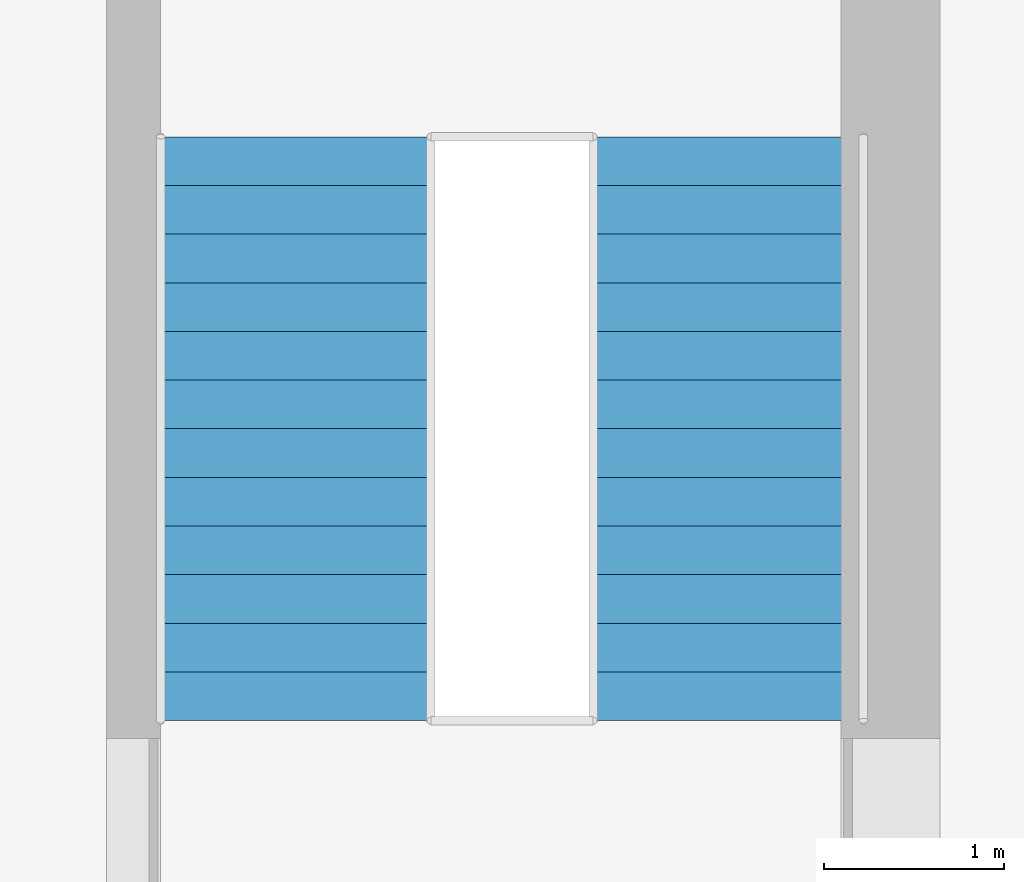
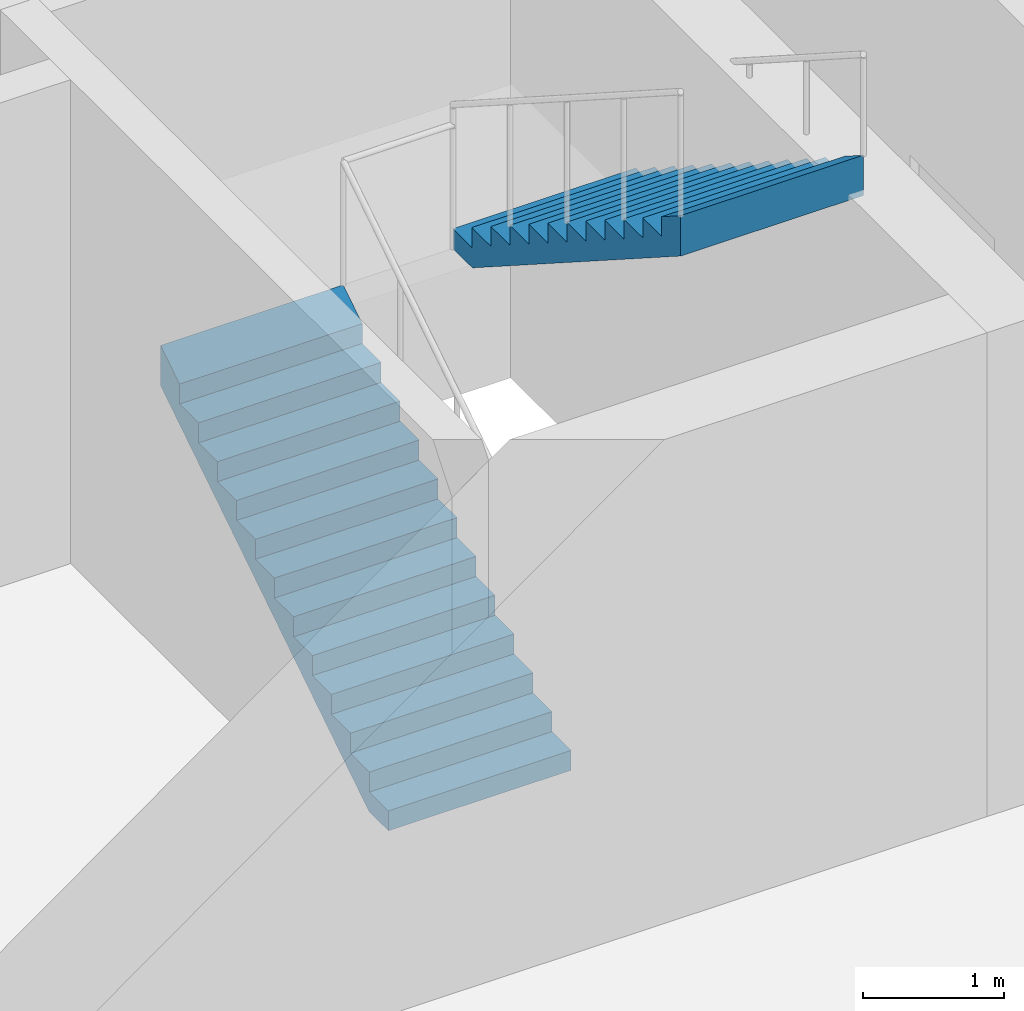
# One storey, part 9 of 13: 2 stair flights, 1 element without a shape of its own.
"""IFC4 building model written with IfcOpenShell, lengths in metres."""

from ifc_helpers import new_model, si_unit, direction, frame, origin, place, context, subcontext, project, spatial, triangles, material, type_object, element, aggregate, save


model = new_model("IFC4")

# Units and contexts
model_context = context("Model", 3, precision=1e-05, world=origin(), true_north=direction((0.0, 1.0)))
body_context = subcontext(model_context, "Body", "Model", "MODEL_VIEW")
ifc_project = project(units=[si_unit("LENGTHUNIT", "METRE"), si_unit("AREAUNIT", "SQUARE_METRE"), si_unit("VOLUMEUNIT", "CUBIC_METRE"), si_unit("PLANEANGLEUNIT", "RADIAN"), si_unit("MASSUNIT", "GRAM", prefix="KILO")], contexts=[model_context])

# Site, building, storey
site_placement = place(None, origin())
site = spatial("IfcSite", under=ifc_project, at=site_placement, CompositionType="ELEMENT")
building_placement = place(site_placement, origin())
building = spatial("IfcBuilding", under=site, at=building_placement, Name="Ludao Terraces", CompositionType="ELEMENT")
storey_placement = place(building_placement, frame((0.0, 0.0, 192.800048828125)))
storey = spatial("IfcBuildingStorey", under=building, at=storey_placement, Name="L52", CompositionType="ELEMENT", Elevation=192.800048828125)

# Stair, stair flights
ifc_material = material(Name="Concrete C40", Category="concrete")
stair_type = type_object("IfcStairType", Name="INT Stair", PredefinedType="HALF_TURN_STAIR", material=ifc_material)
stair_placement = place(storey_placement, origin())
stair = element("IfcStair", 1, at=stair_placement, inside=storey, type_object=stair_type, Name="EXIT STAIR 3", PredefinedType="HALF_TURN_STAIR")
stair_flight_type = type_object("IfcStairFlightType", Name="INT Stair flight", PredefinedType="STRAIGHT", material=ifc_material)
stair_flight_1_placement = place(storey_placement, frame((91.449951171875, 56.949951171875, 0.0), z_axis=(0.0, 0.0, 1.0), x_axis=(0.0, 1.0, 0.0)))
stair_flight_1 = element("IfcStairFlight", 2, at=stair_flight_1_placement, type_object=stair_flight_type, Name="ST3 flight 1", NumberOfRisers=13, NumberOfTreads=12, PredefinedType="STRAIGHT", RiserHeight=0.173077, TreadLength=0.27, context=body_context, shape_type="Tessellation", body=[
    triangles([(0.0, -0.75, 0.0), (0.0, -0.5, 0.0), (0.0, -0.25, 0.0), (0.0, 0.0, 0.0), (0.0, 0.25, 0.0), (0.0, 0.5, 0.0), (0.0, 0.75, 0.0), (0.0, -0.75, 0.173095703125), (0.0, -0.5, 0.173095703125), (0.0, -0.25, 0.173095703125), (0.0, 0.0, 0.173095703125), (0.0, 0.25, 0.173095703125), (0.0, 0.5, 0.173095703125), (0.0, 0.75, 0.173095703125), (0.27001953125, -0.75, 0.173095703125), (0.27001953125, -0.5, 0.173095703125), (0.27001953125, -0.25, 0.173095703125), (0.27001953125, 0.0, 0.173095703125), (0.27001953125, 0.25, 0.173095703125), (0.27001953125, 0.5, 0.173095703125), (0.27001953125, 0.75, 0.173095703125), (0.27001953125, -0.75, 0.34619140625), (0.27001953125, -0.5, 0.34619140625), (0.27001953125, -0.25, 0.34619140625), (0.27001953125, 0.0, 0.34619140625), (0.27001953125, 0.25, 0.34619140625), (0.27001953125, 0.5, 0.34619140625), (0.27001953125, 0.75, 0.34619140625), (0.5400390625, -0.75, 0.34619140625), (0.5400390625, -0.5, 0.34619140625), (0.5400390625, -0.25, 0.34619140625), (0.5400390625, 0.0, 0.34619140625), (0.5400390625, 0.25, 0.34619140625), (0.5400390625, 0.5, 0.34619140625), (0.5400390625, 0.75, 0.34619140625), (0.5400390625, -0.75, 0.519287109375), (0.5400390625, -0.5, 0.519287109375), (0.5400390625, -0.25, 0.519287109375), (0.5400390625, 0.0, 0.519287109375), (0.5400390625, 0.25, 0.519287109375), (0.5400390625, 0.5, 0.519287109375), (0.5400390625, 0.75, 0.519287109375), (0.81005859375, -0.75, 0.519287109375), (0.81005859375, -0.5, 0.519287109375), (0.81005859375, -0.25, 0.519287109375), (0.81005859375, 0.0, 0.519287109375), (0.81005859375, 0.25, 0.519287109375), (0.81005859375, 0.5, 0.519287109375), (0.81005859375, 0.75, 0.519287109375), (0.81005859375, -0.75, 0.6923828125), (0.81005859375, -0.5, 0.6923828125), (0.81005859375, -0.25, 0.6923828125), (0.81005859375, 0.0, 0.6923828125), (0.81005859375, 0.25, 0.6923828125), (0.81005859375, 0.5, 0.6923828125), (0.81005859375, 0.75, 0.6923828125), (1.080078125, -0.75, 0.6923828125), (1.080078125, -0.5, 0.6923828125), (1.080078125, -0.25, 0.6923828125), (1.080078125, 0.0, 0.6923828125), (1.080078125, 0.25, 0.6923828125), (1.080078125, 0.5, 0.6923828125), (1.080078125, 0.75, 0.6923828125), (1.080078125, -0.75, 0.865478515625), (1.080078125, -0.5, 0.865478515625), (1.080078125, -0.25, 0.865478515625), (1.080078125, 0.0, 0.865478515625), (1.080078125, 0.25, 0.865478515625), (1.080078125, 0.5, 0.865478515625), (1.080078125, 0.75, 0.865478515625), (1.35009765625, -0.75, 0.865478515625), (1.35009765625, -0.5, 0.865478515625), (1.35009765625, -0.25, 0.865478515625), (1.35009765625, 0.0, 0.865478515625), (1.35009765625, 0.25, 0.865478515625), (1.35009765625, 0.5, 0.865478515625), (1.35009765625, 0.75, 0.865478515625), (1.35009765625, -0.75, 1.03857421875), (1.35009765625, -0.5, 1.03857421875), (1.35009765625, -0.25, 1.03857421875), (1.35009765625, 0.0, 1.03857421875), (1.35009765625, 0.25, 1.03857421875), (1.35009765625, 0.5, 1.03857421875), (1.35009765625, 0.75, 1.03857421875), (1.6201171875, -0.75, 1.03857421875), (1.6201171875, -0.5, 1.03857421875), (1.6201171875, -0.25, 1.03857421875), (1.6201171875, 0.0, 1.03857421875), (1.6201171875, 0.25, 1.03857421875), (1.6201171875, 0.5, 1.03857421875), (1.6201171875, 0.75, 1.03857421875), (1.6201171875, -0.75, 1.21142578125), (1.6201171875, -0.5, 1.21142578125), (1.6201171875, -0.25, 1.21142578125), (1.6201171875, 0.0, 1.21142578125), (1.6201171875, 0.25, 1.21142578125), (1.6201171875, 0.5, 1.21142578125), (1.6201171875, 0.75, 1.21142578125), (1.889892578125, -0.75, 1.21142578125), (1.889892578125, -0.5, 1.21142578125), (1.889892578125, -0.25, 1.21142578125), (1.889892578125, 0.0, 1.21142578125), (1.889892578125, 0.25, 1.21142578125), (1.889892578125, 0.5, 1.21142578125), (1.889892578125, 0.75, 1.21142578125), (1.889892578125, -0.75, 1.384521484375), (1.889892578125, -0.5, 1.384521484375), (1.889892578125, -0.25, 1.384521484375), (1.889892578125, 0.0, 1.384521484375), (1.889892578125, 0.25, 1.384521484375), (1.889892578125, 0.5, 1.384521484375), (1.889892578125, 0.75, 1.384521484375), (2.159912109375, -0.75, 1.384521484375), (2.159912109375, -0.5, 1.384521484375), (2.159912109375, -0.25, 1.384521484375), (2.159912109375, 0.0, 1.384521484375), (2.159912109375, 0.25, 1.384521484375), (2.159912109375, 0.5, 1.384521484375), (2.159912109375, 0.75, 1.384521484375), (2.159912109375, -0.75, 1.5576171875), (2.159912109375, -0.5, 1.5576171875), (2.159912109375, -0.25, 1.5576171875), (2.159912109375, 0.0, 1.5576171875), (2.159912109375, 0.25, 1.5576171875), (2.159912109375, 0.5, 1.5576171875), (2.159912109375, 0.75, 1.5576171875), (2.429931640625, -0.75, 1.5576171875), (2.429931640625, -0.5, 1.5576171875), (2.429931640625, -0.25, 1.5576171875), (2.429931640625, 0.0, 1.5576171875), (2.429931640625, 0.25, 1.5576171875), (2.429931640625, 0.5, 1.5576171875), (2.429931640625, 0.75, 1.5576171875), (2.429931640625, -0.75, 1.730712890625), (2.429931640625, -0.5, 1.730712890625), (2.429931640625, -0.25, 1.730712890625), (2.429931640625, 0.0, 1.730712890625), (2.429931640625, 0.25, 1.730712890625), (2.429931640625, 0.5, 1.730712890625), (2.429931640625, 0.75, 1.730712890625), (2.699951171875, -0.75, 1.730712890625), (2.699951171875, -0.5, 1.730712890625), (2.699951171875, -0.25, 1.730712890625), (2.699951171875, 0.0, 1.730712890625), (2.699951171875, 0.25, 1.730712890625), (2.699951171875, 0.5, 1.730712890625), (2.699951171875, 0.75, 1.730712890625), (2.699951171875, -0.75, 1.90380859375), (2.699951171875, -0.5, 1.90380859375), (2.699951171875, -0.25, 1.90380859375), (2.699951171875, 0.0, 1.90380859375), (2.699951171875, 0.25, 1.90380859375), (2.699951171875, 0.5, 1.90380859375), (2.699951171875, 0.75, 1.90380859375), (2.969970703125, -0.75, 1.90380859375), (2.969970703125, -0.5, 1.90380859375), (2.969970703125, -0.25, 1.90380859375), (2.969970703125, 0.0, 1.90380859375), (2.969970703125, 0.25, 1.90380859375), (2.969970703125, 0.5, 1.90380859375), (2.969970703125, 0.75, 1.90380859375), (2.969970703125, -0.75, 2.076904296875), (2.969970703125, -0.5, 2.076904296875), (2.969970703125, -0.25, 2.076904296875), (2.969970703125, 0.0, 2.076904296875), (2.969970703125, 0.25, 2.076904296875), (2.969970703125, 0.5, 2.076904296875), (2.969970703125, 0.75, 2.076904296875), (3.239990234375, -0.75, 2.25), (3.239990234375, -0.5, 2.25), (3.239990234375, -0.25, 2.25), (3.239990234375, 0.0, 2.25), (3.239990234375, 0.25, 2.25), (3.239990234375, 0.5, 2.25), (3.239990234375, 0.75, 2.25), (3.239990234375, -0.75, 1.89892578125), (3.239990234375, -0.5, 1.89892578125), (3.239990234375, -0.25, 1.89892578125), (3.239990234375, 0.0, 1.89892578125), (3.239990234375, 0.25, 1.89892578125), (3.239990234375, 0.5, 1.89892578125), (3.239990234375, 0.75, 1.89892578125), (0.27783203125, -0.75, 0.0), (0.27783203125, -0.5, 0.0), (0.27783203125, -0.25, 0.0), (0.27783203125, 0.0, 0.0), (0.27783203125, 0.25, 0.0), (0.27783203125, 0.5, 0.0), (0.27783203125, 0.75, 0.0)], [[1, 183, 176], [7, 182, 189], [176, 169, 162], [182, 168, 175], [176, 162, 155], [182, 161, 168], [176, 155, 148], [182, 154, 161], [176, 148, 141], [182, 147, 154], [141, 134, 127], [147, 133, 140], [176, 141, 127], [182, 133, 147], [127, 120, 113], [133, 119, 126], [176, 127, 113], [182, 119, 133], [113, 106, 99], [119, 105, 112], [176, 113, 99], [182, 105, 119], [1, 176, 99], [7, 105, 182], [99, 92, 85], [105, 91, 98], [85, 78, 71], [91, 77, 84], [99, 85, 71], [105, 77, 91], [71, 64, 57], [77, 63, 70], [99, 71, 57], [105, 63, 77], [57, 50, 43], [63, 49, 56], [99, 57, 43], [105, 49, 63], [43, 36, 29], [49, 35, 42], [99, 43, 29], [105, 35, 49], [29, 22, 15], [35, 21, 28], [99, 29, 15], [105, 21, 35], [1, 99, 15], [7, 21, 105], [15, 8, 1], [21, 7, 14], [1, 9, 2], [1, 8, 9], [2, 10, 3], [2, 9, 10], [3, 11, 4], [3, 10, 11], [4, 12, 5], [4, 11, 12], [5, 13, 6], [5, 12, 13], [6, 14, 7], [6, 13, 14], [8, 16, 9], [8, 15, 16], [9, 17, 10], [9, 16, 17], [10, 18, 11], [10, 17, 18], [11, 19, 12], [11, 18, 19], [12, 20, 13], [12, 19, 20], [13, 21, 14], [13, 20, 21], [15, 23, 16], [15, 22, 23], [16, 24, 17], [16, 23, 24], [17, 25, 18], [17, 24, 25], [18, 26, 19], [18, 25, 26], [19, 27, 20], [19, 26, 27], [20, 28, 21], [20, 27, 28], [22, 30, 23], [22, 29, 30], [23, 31, 24], [23, 30, 31], [24, 32, 25], [24, 31, 32], [25, 33, 26], [25, 32, 33], [26, 34, 27], [26, 33, 34], [27, 35, 28], [27, 34, 35], [29, 37, 30], [29, 36, 37], [30, 38, 31], [30, 37, 38], [31, 39, 32], [31, 38, 39], [32, 40, 33], [32, 39, 40], [33, 41, 34], [33, 40, 41], [34, 42, 35], [34, 41, 42], [36, 44, 37], [36, 43, 44], [37, 45, 38], [37, 44, 45], [38, 46, 39], [38, 45, 46], [39, 47, 40], [39, 46, 47], [40, 48, 41], [40, 47, 48], [41, 49, 42], [41, 48, 49], [43, 51, 44], [43, 50, 51], [44, 52, 45], [44, 51, 52], [45, 53, 46], [45, 52, 53], [46, 54, 47], [46, 53, 54], [47, 55, 48], [47, 54, 55], [48, 56, 49], [48, 55, 56], [50, 58, 51], [50, 57, 58], [51, 59, 52], [51, 58, 59], [52, 60, 53], [52, 59, 60], [53, 61, 54], [53, 60, 61], [54, 62, 55], [54, 61, 62], [55, 63, 56], [55, 62, 63], [57, 65, 58], [57, 64, 65], [58, 66, 59], [58, 65, 66], [59, 67, 60], [59, 66, 67], [60, 68, 61], [60, 67, 68], [61, 69, 62], [61, 68, 69], [62, 70, 63], [62, 69, 70], [64, 72, 65], [64, 71, 72], [65, 73, 66], [65, 72, 73], [66, 74, 67], [66, 73, 74], [67, 75, 68], [67, 74, 75], [68, 76, 69], [68, 75, 76], [69, 77, 70], [69, 76, 77], [71, 79, 72], [71, 78, 79], [72, 80, 73], [72, 79, 80], [73, 81, 74], [73, 80, 81], [74, 82, 75], [74, 81, 82], [75, 83, 76], [75, 82, 83], [76, 84, 77], [76, 83, 84], [78, 86, 79], [78, 85, 86], [79, 87, 80], [79, 86, 87], [80, 88, 81], [80, 87, 88], [81, 89, 82], [81, 88, 89], [82, 90, 83], [82, 89, 90], [83, 91, 84], [83, 90, 91], [85, 93, 86], [85, 92, 93], [86, 94, 87], [86, 93, 94], [87, 95, 88], [87, 94, 95], [88, 96, 89], [88, 95, 96], [89, 97, 90], [89, 96, 97], [90, 98, 91], [90, 97, 98], [92, 100, 93], [92, 99, 100], [93, 101, 94], [93, 100, 101], [94, 102, 95], [94, 101, 102], [95, 103, 96], [95, 102, 103], [96, 104, 97], [96, 103, 104], [97, 105, 98], [97, 104, 105], [99, 107, 100], [99, 106, 107], [100, 108, 101], [100, 107, 108], [101, 109, 102], [101, 108, 109], [102, 110, 103], [102, 109, 110], [103, 111, 104], [103, 110, 111], [104, 112, 105], [104, 111, 112], [106, 114, 107], [106, 113, 114], [107, 115, 108], [107, 114, 115], [108, 116, 109], [108, 115, 116], [109, 117, 110], [109, 116, 117], [110, 118, 111], [110, 117, 118], [111, 119, 112], [111, 118, 119], [113, 121, 114], [113, 120, 121], [114, 122, 115], [114, 121, 122], [115, 123, 116], [115, 122, 123], [116, 124, 117], [116, 123, 124], [117, 125, 118], [117, 124, 125], [118, 126, 119], [118, 125, 126], [120, 128, 121], [120, 127, 128], [121, 129, 122], [121, 128, 129], [122, 130, 123], [122, 129, 130], [123, 131, 124], [123, 130, 131], [124, 132, 125], [124, 131, 132], [125, 133, 126], [125, 132, 133], [127, 135, 128], [127, 134, 135], [128, 136, 129], [128, 135, 136], [129, 137, 130], [129, 136, 137], [130, 138, 131], [130, 137, 138], [131, 139, 132], [131, 138, 139], [132, 140, 133], [132, 139, 140], [134, 142, 135], [134, 141, 142], [135, 143, 136], [135, 142, 143], [136, 144, 137], [136, 143, 144], [137, 145, 138], [137, 144, 145], [138, 146, 139], [138, 145, 146], [139, 147, 140], [139, 146, 147], [141, 149, 142], [141, 148, 149], [142, 150, 143], [142, 149, 150], [143, 151, 144], [143, 150, 151], [144, 152, 145], [144, 151, 152], [145, 153, 146], [145, 152, 153], [146, 154, 147], [146, 153, 154], [148, 156, 149], [148, 155, 156], [149, 157, 150], [149, 156, 157], [150, 158, 151], [150, 157, 158], [151, 159, 152], [151, 158, 159], [152, 160, 153], [152, 159, 160], [153, 161, 154], [153, 160, 161], [155, 163, 156], [155, 162, 163], [156, 164, 157], [156, 163, 164], [157, 165, 158], [157, 164, 165], [158, 166, 159], [158, 165, 166], [159, 167, 160], [159, 166, 167], [160, 168, 161], [160, 167, 168], [162, 170, 163], [162, 169, 170], [163, 171, 164], [163, 170, 171], [164, 172, 165], [164, 171, 172], [165, 173, 166], [165, 172, 173], [166, 174, 167], [166, 173, 174], [167, 175, 168], [167, 174, 175], [169, 177, 170], [169, 176, 177], [170, 178, 171], [170, 177, 178], [171, 179, 172], [171, 178, 179], [172, 180, 173], [172, 179, 180], [173, 181, 174], [173, 180, 181], [174, 182, 175], [174, 181, 182], [176, 184, 177], [176, 183, 184], [177, 185, 178], [177, 184, 185], [178, 186, 179], [178, 185, 186], [179, 187, 180], [179, 186, 187], [180, 188, 181], [180, 187, 188], [181, 189, 182], [181, 188, 189], [183, 2, 184], [183, 1, 2], [184, 3, 185], [184, 2, 3], [185, 4, 186], [185, 3, 4], [186, 5, 187], [186, 4, 5], [187, 6, 188], [187, 5, 6], [188, 7, 189], [188, 6, 7]], closed=True),
])
stair_flight_2_placement = place(storey_placement, frame((93.85009765625, 60.18994140625, 2.25), z_axis=(0.0, 0.0, 1.0), x_axis=(0.0, -1.0, 0.0)))
stair_flight_2 = element("IfcStairFlight", 3, at=stair_flight_2_placement, type_object=stair_flight_type, Name="ST3 flight 2", NumberOfRisers=13, NumberOfTreads=12, PredefinedType="STRAIGHT", RiserHeight=0.173077, TreadLength=0.27, context=body_context, shape_type="Tessellation", body=[
    triangles([(0.0, -0.75, 0.0), (0.0, -0.5, 0.0), (0.0, -0.25, 0.0), (0.0, 0.0, 0.0), (0.0, 0.25, 0.0), (0.0, 0.5, 0.0), (0.0, 0.75, 0.0), (0.0, -0.75, 0.173095703125), (0.0, -0.5, 0.173095703125), (0.0, -0.25, 0.173095703125), (0.0, 0.0, 0.173095703125), (0.0, 0.25, 0.173095703125), (0.0, 0.5, 0.173095703125), (0.0, 0.75, 0.173095703125), (0.27001953125, -0.75, 0.173095703125), (0.27001953125, -0.5, 0.173095703125), (0.27001953125, -0.25, 0.173095703125), (0.27001953125, 0.0, 0.173095703125), (0.27001953125, 0.25, 0.173095703125), (0.27001953125, 0.5, 0.173095703125), (0.27001953125, 0.75, 0.173095703125), (0.27001953125, -0.75, 0.34619140625), (0.27001953125, -0.5, 0.34619140625), (0.27001953125, -0.25, 0.34619140625), (0.27001953125, 0.0, 0.34619140625), (0.27001953125, 0.25, 0.34619140625), (0.27001953125, 0.5, 0.34619140625), (0.27001953125, 0.75, 0.34619140625), (0.5400390625, -0.75, 0.34619140625), (0.5400390625, -0.5, 0.34619140625), (0.5400390625, -0.25, 0.34619140625), (0.5400390625, 0.0, 0.34619140625), (0.5400390625, 0.25, 0.34619140625), (0.5400390625, 0.5, 0.34619140625), (0.5400390625, 0.75, 0.34619140625), (0.5400390625, -0.75, 0.519287109375), (0.5400390625, -0.5, 0.519287109375), (0.5400390625, -0.25, 0.519287109375), (0.5400390625, 0.0, 0.519287109375), (0.5400390625, 0.25, 0.519287109375), (0.5400390625, 0.5, 0.519287109375), (0.5400390625, 0.75, 0.519287109375), (0.81005859375, -0.75, 0.519287109375), (0.81005859375, -0.5, 0.519287109375), (0.81005859375, -0.25, 0.519287109375), (0.81005859375, 0.0, 0.519287109375), (0.81005859375, 0.25, 0.519287109375), (0.81005859375, 0.5, 0.519287109375), (0.81005859375, 0.75, 0.519287109375), (0.81005859375, -0.75, 0.6923828125), (0.81005859375, -0.5, 0.6923828125), (0.81005859375, -0.25, 0.6923828125), (0.81005859375, 0.0, 0.6923828125), (0.81005859375, 0.25, 0.6923828125), (0.81005859375, 0.5, 0.6923828125), (0.81005859375, 0.75, 0.6923828125), (1.080078125, -0.75, 0.6923828125), (1.080078125, -0.5, 0.6923828125), (1.080078125, -0.25, 0.6923828125), (1.080078125, 0.0, 0.6923828125), (1.080078125, 0.25, 0.6923828125), (1.080078125, 0.5, 0.6923828125), (1.080078125, 0.75, 0.6923828125), (1.080078125, -0.75, 0.865478515625), (1.080078125, -0.5, 0.865478515625), (1.080078125, -0.25, 0.865478515625), (1.080078125, 0.0, 0.865478515625), (1.080078125, 0.25, 0.865478515625), (1.080078125, 0.5, 0.865478515625), (1.080078125, 0.75, 0.865478515625), (1.35009765625, -0.75, 0.865478515625), (1.35009765625, -0.5, 0.865478515625), (1.35009765625, -0.25, 0.865478515625), (1.35009765625, 0.0, 0.865478515625), (1.35009765625, 0.25, 0.865478515625), (1.35009765625, 0.5, 0.865478515625), (1.35009765625, 0.75, 0.865478515625), (1.35009765625, -0.75, 1.03857421875), (1.35009765625, -0.5, 1.03857421875), (1.35009765625, -0.25, 1.03857421875), (1.35009765625, 0.0, 1.03857421875), (1.35009765625, 0.25, 1.03857421875), (1.35009765625, 0.5, 1.03857421875), (1.35009765625, 0.75, 1.03857421875), (1.6201171875, -0.75, 1.03857421875), (1.6201171875, -0.5, 1.03857421875), (1.6201171875, -0.25, 1.03857421875), (1.6201171875, 0.0, 1.03857421875), (1.6201171875, 0.25, 1.03857421875), (1.6201171875, 0.5, 1.03857421875), (1.6201171875, 0.75, 1.03857421875), (1.6201171875, -0.75, 1.21142578125), (1.6201171875, -0.5, 1.21142578125), (1.6201171875, -0.25, 1.21142578125), (1.6201171875, 0.0, 1.21142578125), (1.6201171875, 0.25, 1.21142578125), (1.6201171875, 0.5, 1.21142578125), (1.6201171875, 0.75, 1.21142578125), (1.889892578125, -0.75, 1.21142578125), (1.889892578125, -0.5, 1.21142578125), (1.889892578125, -0.25, 1.21142578125), (1.889892578125, 0.0, 1.21142578125), (1.889892578125, 0.25, 1.21142578125), (1.889892578125, 0.5, 1.21142578125), (1.889892578125, 0.75, 1.21142578125), (1.889892578125, -0.75, 1.384521484375), (1.889892578125, -0.5, 1.384521484375), (1.889892578125, -0.25, 1.384521484375), (1.889892578125, 0.0, 1.384521484375), (1.889892578125, 0.25, 1.384521484375), (1.889892578125, 0.5, 1.384521484375), (1.889892578125, 0.75, 1.384521484375), (2.159912109375, -0.75, 1.384521484375), (2.159912109375, -0.5, 1.384521484375), (2.159912109375, -0.25, 1.384521484375), (2.159912109375, 0.0, 1.384521484375), (2.159912109375, 0.25, 1.384521484375), (2.159912109375, 0.5, 1.384521484375), (2.159912109375, 0.75, 1.384521484375), (2.159912109375, -0.75, 1.5576171875), (2.159912109375, -0.5, 1.5576171875), (2.159912109375, -0.25, 1.5576171875), (2.159912109375, 0.0, 1.5576171875), (2.159912109375, 0.25, 1.5576171875), (2.159912109375, 0.5, 1.5576171875), (2.159912109375, 0.75, 1.5576171875), (2.429931640625, -0.75, 1.5576171875), (2.429931640625, -0.5, 1.5576171875), (2.429931640625, -0.25, 1.5576171875), (2.429931640625, 0.0, 1.5576171875), (2.429931640625, 0.25, 1.5576171875), (2.429931640625, 0.5, 1.5576171875), (2.429931640625, 0.75, 1.5576171875), (2.429931640625, -0.75, 1.730712890625), (2.429931640625, -0.5, 1.730712890625), (2.429931640625, -0.25, 1.730712890625), (2.429931640625, 0.0, 1.730712890625), (2.429931640625, 0.25, 1.730712890625), (2.429931640625, 0.5, 1.730712890625), (2.429931640625, 0.75, 1.730712890625), (2.699951171875, -0.75, 1.730712890625), (2.699951171875, -0.5, 1.730712890625), (2.699951171875, -0.25, 1.730712890625), (2.699951171875, 0.0, 1.730712890625), (2.699951171875, 0.25, 1.730712890625), (2.699951171875, 0.5, 1.730712890625), (2.699951171875, 0.75, 1.730712890625), (2.699951171875, -0.75, 1.90380859375), (2.699951171875, -0.5, 1.90380859375), (2.699951171875, -0.25, 1.90380859375), (2.699951171875, 0.0, 1.90380859375), (2.699951171875, 0.25, 1.90380859375), (2.699951171875, 0.5, 1.90380859375), (2.699951171875, 0.75, 1.90380859375), (2.969970703125, -0.75, 1.90380859375), (2.969970703125, -0.5, 1.90380859375), (2.969970703125, -0.25, 1.90380859375), (2.969970703125, 0.0, 1.90380859375), (2.969970703125, 0.25, 1.90380859375), (2.969970703125, 0.5, 1.90380859375), (2.969970703125, 0.75, 1.90380859375), (2.969970703125, -0.75, 2.076904296875), (2.969970703125, -0.5, 2.076904296875), (2.969970703125, -0.25, 2.076904296875), (2.969970703125, 0.0, 2.076904296875), (2.969970703125, 0.25, 2.076904296875), (2.969970703125, 0.5, 2.076904296875), (2.969970703125, 0.75, 2.076904296875), (3.239990234375, -0.75, 2.25), (3.239990234375, -0.5, 2.25), (3.239990234375, -0.25, 2.25), (3.239990234375, 0.0, 2.25), (3.239990234375, 0.25, 2.25), (3.239990234375, 0.5, 2.25), (3.239990234375, 0.75, 2.25), (3.239990234375, -0.75, 1.89892578125), (3.239990234375, -0.5, 1.89892578125), (3.239990234375, -0.25, 1.89892578125), (3.239990234375, 0.0, 1.89892578125), (3.239990234375, 0.25, 1.89892578125), (3.239990234375, 0.5, 1.89892578125), (3.239990234375, 0.75, 1.89892578125), (0.27783203125, -0.75, 0.0), (0.27783203125, -0.5, 0.0), (0.27783203125, -0.25, 0.0), (0.27783203125, 0.0, 0.0), (0.27783203125, 0.25, 0.0), (0.27783203125, 0.5, 0.0), (0.27783203125, 0.75, 0.0)], [[1, 183, 176], [7, 182, 189], [176, 169, 162], [182, 168, 175], [176, 162, 155], [182, 161, 168], [176, 155, 148], [182, 154, 161], [176, 148, 141], [182, 147, 154], [141, 134, 127], [147, 133, 140], [176, 141, 127], [182, 133, 147], [127, 120, 113], [133, 119, 126], [176, 127, 113], [182, 119, 133], [113, 106, 99], [119, 105, 112], [176, 113, 99], [182, 105, 119], [1, 176, 99], [7, 105, 182], [99, 92, 85], [105, 91, 98], [85, 78, 71], [91, 77, 84], [99, 85, 71], [105, 77, 91], [71, 64, 57], [77, 63, 70], [99, 71, 57], [105, 63, 77], [57, 50, 43], [63, 49, 56], [99, 57, 43], [105, 49, 63], [43, 36, 29], [49, 35, 42], [99, 43, 29], [105, 35, 49], [29, 22, 15], [35, 21, 28], [99, 29, 15], [105, 21, 35], [1, 99, 15], [7, 21, 105], [15, 8, 1], [21, 7, 14], [1, 9, 2], [1, 8, 9], [2, 10, 3], [2, 9, 10], [3, 11, 4], [3, 10, 11], [4, 12, 5], [4, 11, 12], [5, 13, 6], [5, 12, 13], [6, 14, 7], [6, 13, 14], [8, 16, 9], [8, 15, 16], [9, 17, 10], [9, 16, 17], [10, 18, 11], [10, 17, 18], [11, 19, 12], [11, 18, 19], [12, 20, 13], [12, 19, 20], [13, 21, 14], [13, 20, 21], [15, 23, 16], [15, 22, 23], [16, 24, 17], [16, 23, 24], [17, 25, 18], [17, 24, 25], [18, 26, 19], [18, 25, 26], [19, 27, 20], [19, 26, 27], [20, 28, 21], [20, 27, 28], [22, 30, 23], [22, 29, 30], [23, 31, 24], [23, 30, 31], [24, 32, 25], [24, 31, 32], [25, 33, 26], [25, 32, 33], [26, 34, 27], [26, 33, 34], [27, 35, 28], [27, 34, 35], [29, 37, 30], [29, 36, 37], [30, 38, 31], [30, 37, 38], [31, 39, 32], [31, 38, 39], [32, 40, 33], [32, 39, 40], [33, 41, 34], [33, 40, 41], [34, 42, 35], [34, 41, 42], [36, 44, 37], [36, 43, 44], [37, 45, 38], [37, 44, 45], [38, 46, 39], [38, 45, 46], [39, 47, 40], [39, 46, 47], [40, 48, 41], [40, 47, 48], [41, 49, 42], [41, 48, 49], [43, 51, 44], [43, 50, 51], [44, 52, 45], [44, 51, 52], [45, 53, 46], [45, 52, 53], [46, 54, 47], [46, 53, 54], [47, 55, 48], [47, 54, 55], [48, 56, 49], [48, 55, 56], [50, 58, 51], [50, 57, 58], [51, 59, 52], [51, 58, 59], [52, 60, 53], [52, 59, 60], [53, 61, 54], [53, 60, 61], [54, 62, 55], [54, 61, 62], [55, 63, 56], [55, 62, 63], [57, 65, 58], [57, 64, 65], [58, 66, 59], [58, 65, 66], [59, 67, 60], [59, 66, 67], [60, 68, 61], [60, 67, 68], [61, 69, 62], [61, 68, 69], [62, 70, 63], [62, 69, 70], [64, 72, 65], [64, 71, 72], [65, 73, 66], [65, 72, 73], [66, 74, 67], [66, 73, 74], [67, 75, 68], [67, 74, 75], [68, 76, 69], [68, 75, 76], [69, 77, 70], [69, 76, 77], [71, 79, 72], [71, 78, 79], [72, 80, 73], [72, 79, 80], [73, 81, 74], [73, 80, 81], [74, 82, 75], [74, 81, 82], [75, 83, 76], [75, 82, 83], [76, 84, 77], [76, 83, 84], [78, 86, 79], [78, 85, 86], [79, 87, 80], [79, 86, 87], [80, 88, 81], [80, 87, 88], [81, 89, 82], [81, 88, 89], [82, 90, 83], [82, 89, 90], [83, 91, 84], [83, 90, 91], [85, 93, 86], [85, 92, 93], [86, 94, 87], [86, 93, 94], [87, 95, 88], [87, 94, 95], [88, 96, 89], [88, 95, 96], [89, 97, 90], [89, 96, 97], [90, 98, 91], [90, 97, 98], [92, 100, 93], [92, 99, 100], [93, 101, 94], [93, 100, 101], [94, 102, 95], [94, 101, 102], [95, 103, 96], [95, 102, 103], [96, 104, 97], [96, 103, 104], [97, 105, 98], [97, 104, 105], [99, 107, 100], [99, 106, 107], [100, 108, 101], [100, 107, 108], [101, 109, 102], [101, 108, 109], [102, 110, 103], [102, 109, 110], [103, 111, 104], [103, 110, 111], [104, 112, 105], [104, 111, 112], [106, 114, 107], [106, 113, 114], [107, 115, 108], [107, 114, 115], [108, 116, 109], [108, 115, 116], [109, 117, 110], [109, 116, 117], [110, 118, 111], [110, 117, 118], [111, 119, 112], [111, 118, 119], [113, 121, 114], [113, 120, 121], [114, 122, 115], [114, 121, 122], [115, 123, 116], [115, 122, 123], [116, 124, 117], [116, 123, 124], [117, 125, 118], [117, 124, 125], [118, 126, 119], [118, 125, 126], [120, 128, 121], [120, 127, 128], [121, 129, 122], [121, 128, 129], [122, 130, 123], [122, 129, 130], [123, 131, 124], [123, 130, 131], [124, 132, 125], [124, 131, 132], [125, 133, 126], [125, 132, 133], [127, 135, 128], [127, 134, 135], [128, 136, 129], [128, 135, 136], [129, 137, 130], [129, 136, 137], [130, 138, 131], [130, 137, 138], [131, 139, 132], [131, 138, 139], [132, 140, 133], [132, 139, 140], [134, 142, 135], [134, 141, 142], [135, 143, 136], [135, 142, 143], [136, 144, 137], [136, 143, 144], [137, 145, 138], [137, 144, 145], [138, 146, 139], [138, 145, 146], [139, 147, 140], [139, 146, 147], [141, 149, 142], [141, 148, 149], [142, 150, 143], [142, 149, 150], [143, 151, 144], [143, 150, 151], [144, 152, 145], [144, 151, 152], [145, 153, 146], [145, 152, 153], [146, 154, 147], [146, 153, 154], [148, 156, 149], [148, 155, 156], [149, 157, 150], [149, 156, 157], [150, 158, 151], [150, 157, 158], [151, 159, 152], [151, 158, 159], [152, 160, 153], [152, 159, 160], [153, 161, 154], [153, 160, 161], [155, 163, 156], [155, 162, 163], [156, 164, 157], [156, 163, 164], [157, 165, 158], [157, 164, 165], [158, 166, 159], [158, 165, 166], [159, 167, 160], [159, 166, 167], [160, 168, 161], [160, 167, 168], [162, 170, 163], [162, 169, 170], [163, 171, 164], [163, 170, 171], [164, 172, 165], [164, 171, 172], [165, 173, 166], [165, 172, 173], [166, 174, 167], [166, 173, 174], [167, 175, 168], [167, 174, 175], [169, 177, 170], [169, 176, 177], [170, 178, 171], [170, 177, 178], [171, 179, 172], [171, 178, 179], [172, 180, 173], [172, 179, 180], [173, 181, 174], [173, 180, 181], [174, 182, 175], [174, 181, 182], [176, 184, 177], [176, 183, 184], [177, 185, 178], [177, 184, 185], [178, 186, 179], [178, 185, 186], [179, 187, 180], [179, 186, 187], [180, 188, 181], [180, 187, 188], [181, 189, 182], [181, 188, 189], [183, 2, 184], [183, 1, 2], [184, 3, 185], [184, 2, 3], [185, 4, 186], [185, 3, 4], [186, 5, 187], [186, 4, 5], [187, 6, 188], [187, 5, 6], [188, 7, 189], [188, 6, 7]], closed=True),
])
aggregate(stair, [stair_flight_1, stair_flight_2])

save(model, "model.ifc")
